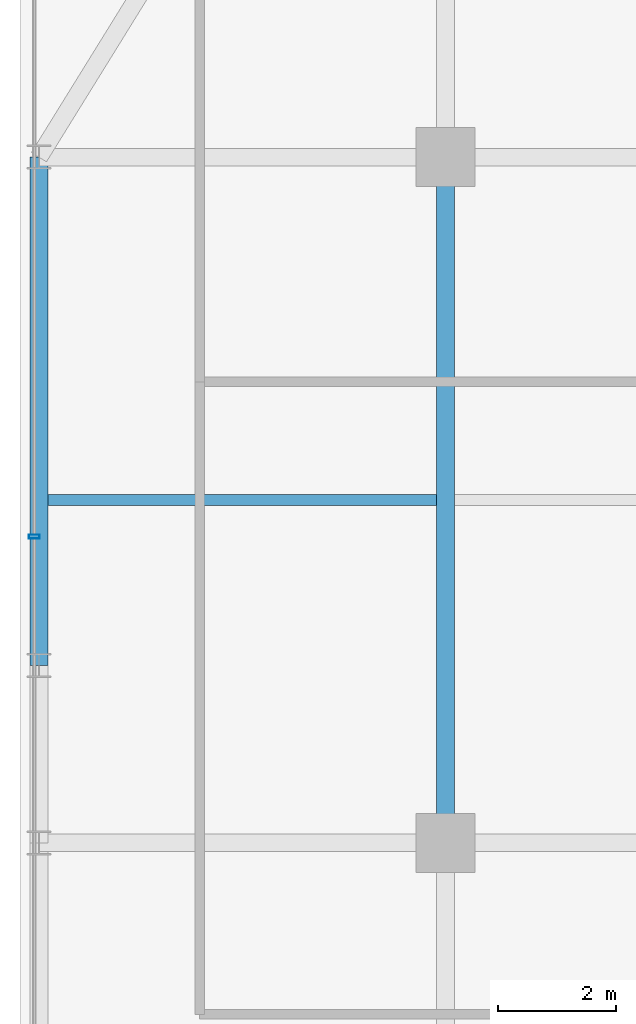
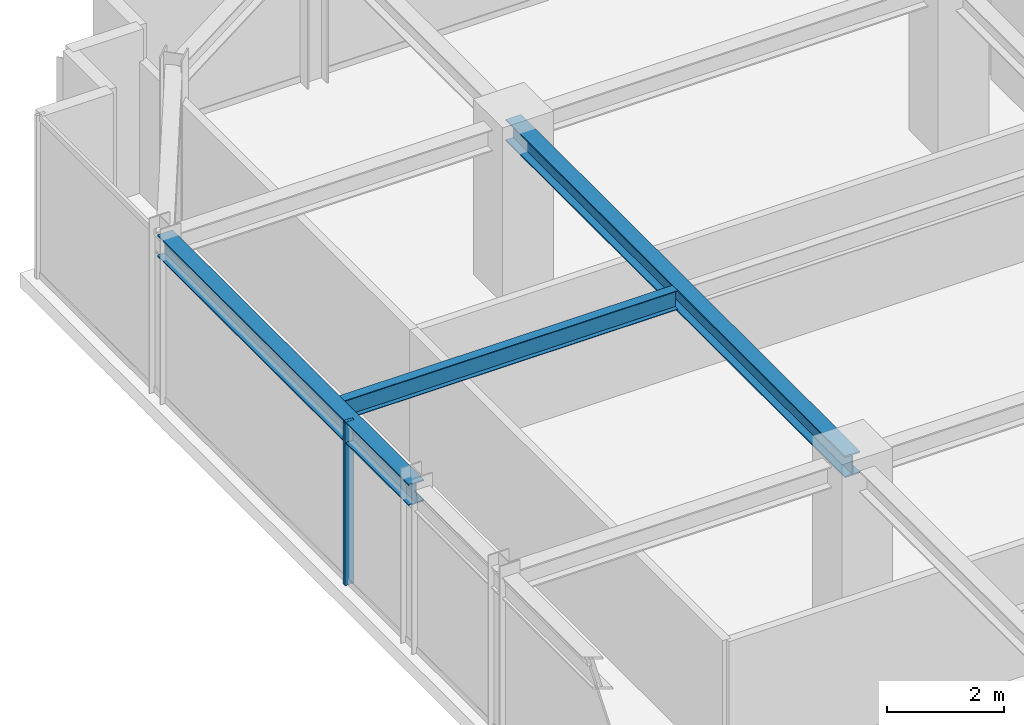
# One storey, part 18 of 42: 3 beams, 1 member, 1 element without a shape of its own.
"""IFC4 building model written with IfcOpenShell, lengths in metres."""

from ifc_helpers import new_model, si_unit, direction, frame, origin, origin_2d, place, context, subcontext, project, spatial, hollow_rectangle, i_section, extrude, source, transform, mapped, material, material_profile, profile_set, type_object, element, aggregate, save


model = new_model("IFC4")

# Units and contexts
model_context = context("Model", 3, precision=1e-05, world=origin(), true_north=direction((0.0, 1.0)))
body_context = subcontext(model_context, "Body", "Model", "MODEL_VIEW")
ifc_project = project(units=[si_unit("LENGTHUNIT", "METRE"), si_unit("AREAUNIT", "SQUARE_METRE"), si_unit("VOLUMEUNIT", "CUBIC_METRE"), si_unit("PLANEANGLEUNIT", "RADIAN"), si_unit("MASSUNIT", "GRAM", prefix="KILO")], contexts=[model_context])

# Site, building, storey
site_placement = place(None, origin())
site = spatial("IfcSite", under=ifc_project, at=site_placement, CompositionType="ELEMENT")
building_placement = place(site_placement, origin())
building = spatial("IfcBuilding", under=site, at=building_placement, Name="Nahalor Promenade Grand Hotel", CompositionType="ELEMENT")
storey_placement = place(building_placement, frame((0.0, 0.0, 249.300048828125)))
storey = spatial("IfcBuildingStorey", under=building, at=storey_placement, Name="L64", CompositionType="ELEMENT", Elevation=249.300048828125)

# Beams
ifc_material_1 = material(Name="Steel S355JR", Category="steel")
ifc_material_profile_1 = material_profile(ifc_material_1, i_section(OverallWidth=0.3, OverallDepth=0.45, WebThickness=0.014, FlangeThickness=0.026, at=origin_2d()), Name="HEB 450")
ifc_profile_set_1 = profile_set([ifc_material_profile_1], Name="Steel S355JR")
beam_type_1 = type_object("IfcBeamType", Name="Beam-Spandrel-HEB450", PredefinedType="SPANDREL", material=ifc_profile_set_1)
shared_shape_1 = source(origin(), body_context, "Body", "SweptSolid", [
    extrude(i_section(OverallWidth=0.3, OverallDepth=0.45, WebThickness=0.014, FlangeThickness=0.026, at=origin_2d()), origin(), (0.0, 0.0, 1.0), 8.60009765625),
])
beam_1_placement = place(storey_placement, frame((-23.8798828125, 8.39990234375, 3.18505859375), z_axis=(0.0, 1.0, 0.0), x_axis=(-1.0, 0.0, 0.0)))
element("IfcBeam", 1, at=beam_1_placement, inside=storey, type_object=beam_type_1, Name="BM-L64-SP-W-4", PredefinedType="SPANDREL", context=body_context, shape_type="MappedRepresentation", body=[
    mapped(shared_shape_1, transform((0.0, 0.0, 0.0), scale=1.0)),
])
ifc_material_profile_2 = material_profile(ifc_material_1, i_section(OverallWidth=0.3, OverallDepth=0.45, WebThickness=0.014, FlangeThickness=0.026, at=origin_2d()), Name="HEB 450")
ifc_profile_set_2 = profile_set([ifc_material_profile_2], Name="Steel S355JR")
beam_type_2 = type_object("IfcBeamType", Name="Beam-Girder-HEB450", PredefinedType="BEAM", material=ifc_profile_set_2)
shared_shape_2 = source(origin(), body_context, "Body", "SweptSolid", [
    extrude(i_section(OverallWidth=0.3, OverallDepth=0.45, WebThickness=0.014, FlangeThickness=0.026, at=origin_2d()), origin(), (0.0, 0.0, 1.0), 11.60009765625),
])
beam_2_placement = place(storey_placement, frame((-17.0, 5.39990234375, 3.18505859375), z_axis=(0.0, 1.0, 0.0), x_axis=(-1.0, 0.0, 0.0)))
element("IfcBeam", 2, at=beam_2_placement, inside=storey, type_object=beam_type_2, Name="BM-L64-GY-0-3", PredefinedType="BEAM", context=body_context, shape_type="MappedRepresentation", body=[
    mapped(shared_shape_2, transform((0.0, 0.0, 0.0), scale=1.0)),
])
ifc_material_profile_3 = material_profile(ifc_material_1, i_section(OverallWidth=0.18, OverallDepth=0.4, WebThickness=0.0086, FlangeThickness=0.0135, at=origin_2d()), Name="IPE 400")
ifc_profile_set_3 = profile_set([ifc_material_profile_3], Name="Steel S355JR")
beam_type_3 = type_object("IfcBeamType", Name="Beam-Joist-IPE400", PredefinedType="JOIST", material=ifc_profile_set_3)
shared_shape_3 = source(origin(), body_context, "Body", "SweptSolid", [
    extrude(i_section(OverallWidth=0.18, OverallDepth=0.4, WebThickness=0.0086, FlangeThickness=0.0135, at=origin_2d()), origin(), (0.0, 0.0, 1.0), 6.580078125),
])
beam_3_placement = place(storey_placement, frame((-23.72998046875, 11.199951171875, 3.2099609375), z_axis=(1.0, 0.0, 0.0), x_axis=(0.0, 1.0, 0.0)))
element("IfcBeam", 3, at=beam_3_placement, inside=storey, type_object=beam_type_3, Name="BM-L64-JSW-1-0", PredefinedType="JOIST", context=body_context, shape_type="MappedRepresentation", body=[
    mapped(shared_shape_3, transform((0.0, 0.0, 0.0), scale=1.0)),
])

# Curtain wall, member
ifc_material_2 = material(Name="Anodised Bronze Aluminium EN AW-6063 T6", Category="aluminium")
curtain_wall_type = type_object("IfcCurtainWallType", Name="CW2 Typical Hotel Flush Bronze Unitised Curtain Wall", PredefinedType="USERDEFINED", material=ifc_material_2)
curtain_wall_placement = place(storey_placement, origin())
curtain_wall = element("IfcCurtainWall", 4, at=curtain_wall_placement, inside=storey, type_object=curtain_wall_type, Name="L64 Curtain Wall CW-L64-W-1", ObjectType="UNITISED_CURTAIN_WALL", PredefinedType="USERDEFINED")
ifc_material_profile_4 = material_profile(ifc_material_2, hollow_rectangle(XDim=0.065, YDim=0.18, WallThickness=0.004, at=origin_2d()), Name="CWM 65x180x4")
ifc_profile_set_4 = profile_set([ifc_material_profile_4], Name="Anodised Bronze Aluminium EN AW-6063 T6")
member_type = type_object("IfcMemberType", Name="CWM2 Typical Bronze Mullion 65x180", PredefinedType="MULLION", material=ifc_profile_set_4)
shared_shape_4 = source(origin(), body_context, "Body", "SweptSolid", [
    extrude(hollow_rectangle(XDim=0.065, YDim=0.18, WallThickness=0.004, at=origin_2d()), origin(), (0.0, 0.0, 1.0), 3.409912109375),
])
member_placement = place(storey_placement, frame((-23.9599609375, 10.580078125, 0.0), z_axis=(0.0, 0.0, 1.0), x_axis=(0.0, 1.0, 0.0)))
member = element("IfcMember", 5, at=member_placement, type_object=member_type, Name="CW-L64-W-1 Mullion 3", PredefinedType="MULLION", context=body_context, shape_type="MappedRepresentation", body=[
    mapped(shared_shape_4, transform((0.0, 0.0, 0.0), scale=1.0)),
])
aggregate(curtain_wall, [member])

save(model, "model.ifc")
